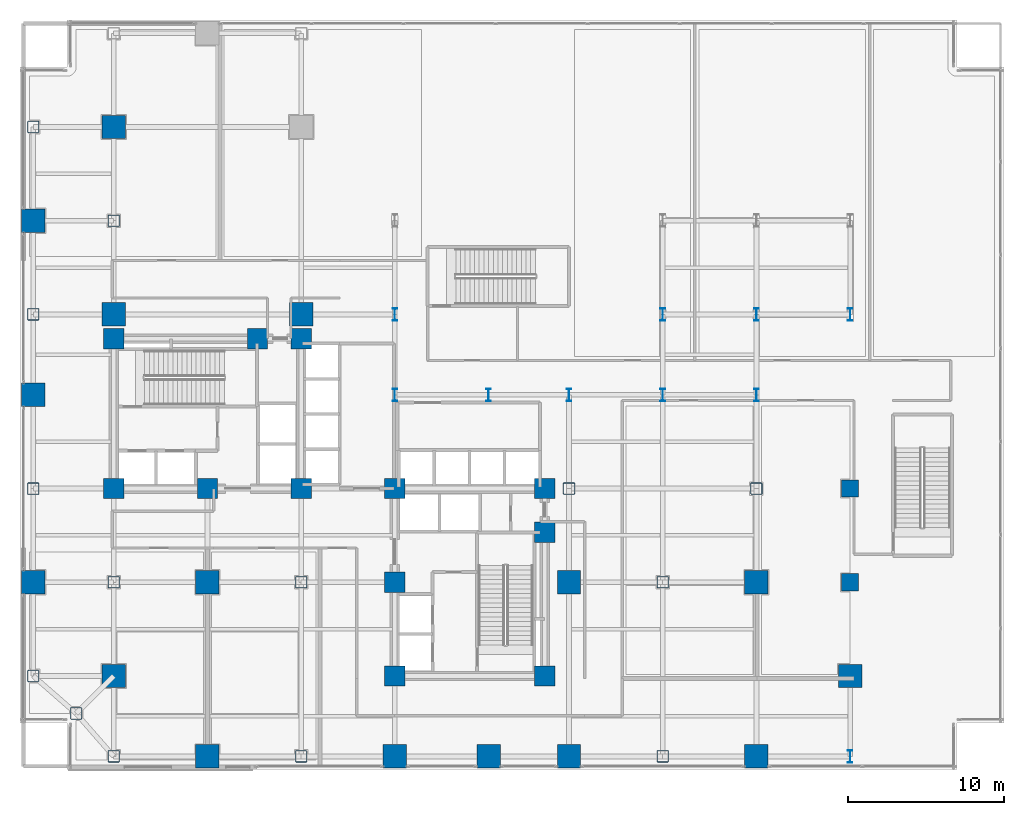
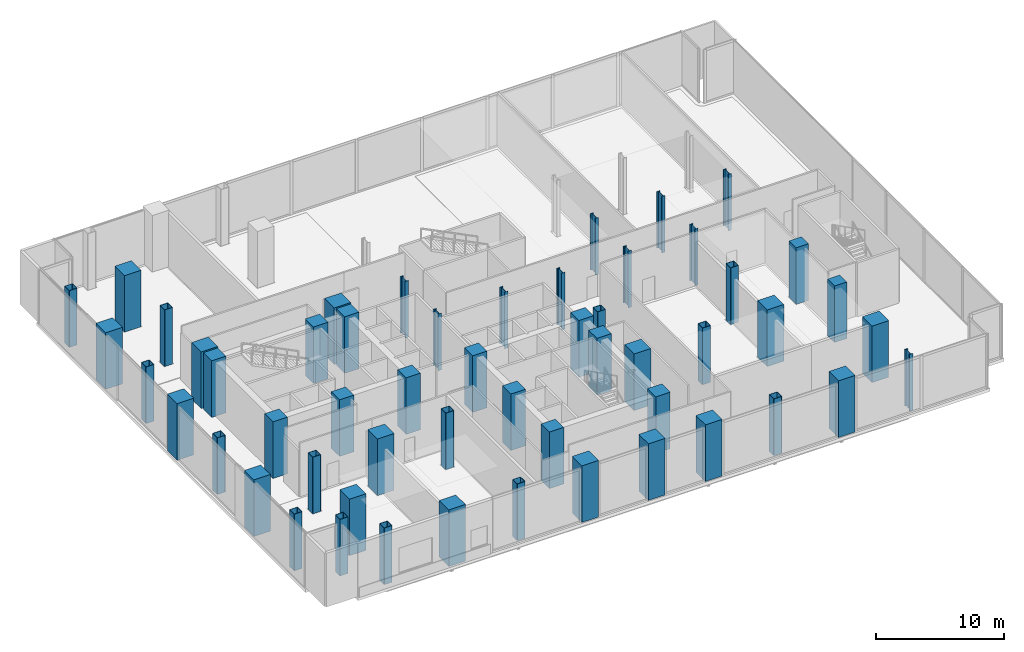
# One storey, part 1 of 27: 54 columns.
"""IFC4 building model written with IfcOpenShell, lengths in metres."""

from ifc_helpers import new_model, si_unit, direction, frame, origin, origin_2d, place, context, subcontext, project, spatial, rectangle, hollow_rectangle, i_section, extrude, material, material_profile, profile_set, type_object, element, save


model = new_model("IFC4")

# Units and contexts
model_context = context("Model", 3, precision=1e-05, world=origin(), true_north=direction((0.0, 1.0)))
body_context = subcontext(model_context, "Body", "Model", "MODEL_VIEW")
ifc_project = project(units=[si_unit("LENGTHUNIT", "METRE"), si_unit("AREAUNIT", "SQUARE_METRE"), si_unit("VOLUMEUNIT", "CUBIC_METRE"), si_unit("PLANEANGLEUNIT", "RADIAN"), si_unit("MASSUNIT", "GRAM", prefix="KILO"), si_unit("THERMODYNAMICTEMPERATUREUNIT", "KELVIN"), si_unit("POWERUNIT", "WATT")], contexts=[model_context])

# Site, building, storey
site_placement = place(None, origin())
site = spatial("IfcSite", under=ifc_project, at=site_placement, CompositionType="ELEMENT")
building_placement = place(site_placement, origin())
building = spatial("IfcBuilding", under=site, at=building_placement, Name="Svarakhadi Broadcast Tower", CompositionType="ELEMENT")
storey_placement = place(building_placement, frame((0.0, 0.0, 5.699951171875)))
storey = spatial("IfcBuildingStorey", under=building, at=storey_placement, Name="L01", CompositionType="ELEMENT", Elevation=5.699951171875)

# Columns
ifc_material_1 = material(Name="Steel S460ML (IS 2062 E450BR)", Category="steel")
ifc_material_profile_1 = material_profile(ifc_material_1, hollow_rectangle(XDim=0.75, YDim=0.75, WallThickness=0.034912109375, InnerFilletRadius=0.034912109375, OuterFilletRadius=0.050048828125, at=origin_2d()), Name="BOX 750x750x35")
ifc_profile_set_1 = profile_set([ifc_material_profile_1], Name="Steel S460ML (IS 2062 E450BR)")
column_type_1 = type_object("IfcColumnType", Name="Col_BOX750", PredefinedType="COLUMN", material=ifc_profile_set_1)
for number, where, z_axis, x_axis, name in (
    (1, (3.60009765625, 3.60009765625, 0.0), (0.0, 0.0, 1.0), (1.0, 0.0, 0.0), "L01 Column G01"),
    (2, (0.85009765625, 6.0, 0.0), (0.0, 0.0, 1.0), (1.0, 0.0, 0.0), "L01 Column G03"),
    (3, (0.85009765625, 18.0, 0.0), (0.0, 0.0, 1.0), (1.0, 0.0, 0.0), "L01 Column G05"),
    (4, (0.85009765625, 29.14990234375, 0.0), (0.0, 0.0, 1.0), (1.0, 0.0, 0.0), "L01 Column G07"),
    (5, (0.85009765625, 41.14990234375, 0.0), (0.0, 0.0, 1.0), (1.0, 0.0, 0.0), "L01 Column G09"),
    (6, (6.0, 0.85009765625, 0.0), (0.0, 0.0, 1.0), (1.0, 0.0, 0.0), "L01 Column G11"),
    (7, (6.0, 12.0, 0.0), (0.0, 0.0, 1.0), (1.0, 0.0, 0.0), "L01 Column G13"),
    (8, (6.0, 35.14990234375, 0.0), (0.0, 0.0, 1.0), (1.0, 0.0, 0.0), "L01 Column G15"),
    (9, (18.0, 0.85009765625, 0.0), (0.0, 0.0, 1.0), (1.0, 0.0, 0.0), "L01 Column G25"),
    (10, (18.0, 12.0, 0.0), (0.0, 0.0, 1.0), (1.0, 0.0, 0.0), "L01 Column G27"),
    (11, (35.14990234375, 18.0, 0.0), (0.0, 0.0, 1.0), (1.0, 0.0, 0.0), "L01 Column G41"),
    (12, (41.14990234375, 0.85009765625, 0.0), (0.0, 0.0, 1.0), (1.0, 0.0, 0.0), "L01 Column G43"),
    (13, (41.14990234375, 12.0, 0.0), (0.0, 0.0, 1.0), (1.0, 0.0, 0.0), "L01 Column G45"),
    (14, (47.14990234375, 18.0, 0.0), (0.0, 0.0, 1.0), (1.0, 0.0, 0.0), "L01 Column G53"),
):
    element("IfcColumn", number, at=place(storey_placement, frame(where, z_axis=z_axis, x_axis=x_axis)), inside=storey, type_object=column_type_1, Name=name, PredefinedType="COLUMN", context=body_context, shape_type="SweptSolid", body=[
        extrude(hollow_rectangle(XDim=0.75, YDim=0.75, WallThickness=0.034912109375, InnerFilletRadius=0.034912109375, OuterFilletRadius=0.050048828125, at=origin_2d()), origin(), (0.0, 0.0, 1.0), 5.400146484375),
    ])
ifc_material_2 = material(Name="Concrete C50/60 (IS 456 M60)", Category="concrete")
ifc_material_profile_2 = material_profile(ifc_material_2, rectangle(XDim=1.10009765625, YDim=1.10009765625, at=origin_2d()), Name="RC 1100x1100")
ifc_profile_set_2 = profile_set([ifc_material_profile_2], Name="Concrete C50/60 (IS 456 M60)")
column_type_2 = type_object("IfcColumnType", Name="Col_RC1100", PredefinedType="COLUMN", material=ifc_profile_set_2)
for number, where, z_axis, x_axis, name in (
    (15, (53.14990234375, 12.0, 0.0), (0.0, 0.0, 1.0), (1.0, 0.0, 0.0), "L01 Zone-1 East Stack Column ZT02"),
    (16, (53.14990234375, 18.0, 0.0), (0.0, 0.0, 1.0), (1.0, 0.0, 0.0), "L01 Zone-1 East Stack Column ZT03"),
):
    element("IfcColumn", number, at=place(storey_placement, frame(where, z_axis=z_axis, x_axis=x_axis)), inside=storey, type_object=column_type_2, Name=name, PredefinedType="COLUMN", context=body_context, shape_type="SweptSolid", body=[
        extrude(rectangle(XDim=1.10009765625, YDim=1.10009765625, at=origin_2d()), origin(), (0.0, 0.0, 1.0), 5.400146484375),
    ])
ifc_material_3 = material(Name="Concrete C60/75 (IS 456 M70)", Category="concrete")
ifc_material_profile_3 = material_profile(ifc_material_3, rectangle(XDim=1.300048828125, YDim=1.300048828125, at=origin_2d()), Name="RC 1300x1300")
ifc_profile_set_3 = profile_set([ifc_material_profile_3], Name="Concrete C60/75 (IS 456 M70)")
column_type_3 = type_object("IfcColumnType", Name="Col_RC1300", PredefinedType="COLUMN", material=ifc_profile_set_3)
for number, where, z_axis, x_axis, name in (
    (17, (6.0, 18.0, 0.0), (0.0, 0.0, 1.0), (1.0, 0.0, 0.0), "L01 Column CW1"),
    (18, (12.0, 18.0, 0.0), (0.0, 0.0, 1.0), (1.0, 0.0, 0.0), "L01 Column CW2"),
    (19, (18.0, 18.0, 0.0), (0.0, 0.0, 1.0), (1.0, 0.0, 0.0), "L01 Column CW3"),
    (20, (6.0, 27.60009765625, 0.0), (0.0, 0.0, 1.0), (1.0, 0.0, 0.0), "L01 Column CW4"),
    (21, (15.199951171875, 27.60009765625, 0.0), (0.0, 0.0, 1.0), (1.0, 0.0, 0.0), "L01 Column CW5"),
    (22, (18.0, 27.60009765625, 0.0), (0.0, 0.0, 1.0), (1.0, 0.0, 0.0), "L01 Column CW6"),
    (23, (24.0, 6.0, 0.0), (0.0, 0.0, 1.0), (1.0, 0.0, 0.0), "L01 Column CE1"),
    (24, (24.0, 12.0, 0.0), (0.0, 0.0, 1.0), (1.0, 0.0, 0.0), "L01 Column CE2"),
    (25, (24.0, 18.0, 0.0), (0.0, 0.0, 1.0), (1.0, 0.0, 0.0), "L01 Column CE3"),
    (26, (33.60009765625, 6.0, 0.0), (0.0, 0.0, 1.0), (1.0, 0.0, 0.0), "L01 Column CE4"),
    (27, (33.60009765625, 15.199951171875, 0.0), (0.0, 0.0, 1.0), (1.0, 0.0, 0.0), "L01 Column CE5"),
    (28, (33.60009765625, 18.0, 0.0), (0.0, 0.0, 1.0), (1.0, 0.0, 0.0), "L01 Column CE6"),
):
    element("IfcColumn", number, at=place(storey_placement, frame(where, z_axis=z_axis, x_axis=x_axis)), inside=storey, type_object=column_type_3, Name=name, PredefinedType="COLUMN", context=body_context, shape_type="SweptSolid", body=[
        extrude(rectangle(XDim=1.300048828125, YDim=1.300048828125, at=origin_2d()), origin(), (0.0, 0.0, 1.0), 5.400146484375),
    ])
ifc_material_profile_4 = material_profile(ifc_material_3, rectangle(XDim=1.5, YDim=1.5, at=origin_2d()), Name="RC 1500x1500")
ifc_profile_set_4 = profile_set([ifc_material_profile_4], Name="Concrete C60/75 (IS 456 M70)")
column_type_4 = type_object("IfcColumnType", Name="Col_RC1500", PredefinedType="COLUMN", material=ifc_profile_set_4)
for number, where, z_axis, x_axis, name in (
    (29, (0.85009765625, 12.0, 0.0), (0.0, 0.0, 1.0), (1.0, 0.0, 0.0), "L01 Column G04"),
    (30, (0.85009765625, 24.0, 0.0), (0.0, 0.0, 1.0), (1.0, 0.0, 0.0), "L01 Column G06"),
    (31, (0.85009765625, 35.14990234375, 0.0), (0.0, 0.0, 1.0), (1.0, 0.0, 0.0), "L01 Column G08"),
    (32, (6.0, 6.0, 0.0), (0.0, 0.0, 1.0), (1.0, 0.0, 0.0), "L01 Column G12"),
    (33, (6.0, 29.14990234375, 0.0), (0.0, 0.0, 1.0), (1.0, 0.0, 0.0), "L01 Column G14"),
    (34, (6.0, 41.14990234375, 0.0), (0.0, 0.0, 1.0), (1.0, 0.0, 0.0), "L01 Column G16"),
    (35, (12.0, 0.85009765625, 0.0), (0.0, 0.0, 1.0), (1.0, 0.0, 0.0), "L01 Column G18"),
    (36, (12.0, 12.0, 0.0), (0.0, 0.0, 1.0), (1.0, 0.0, 0.0), "L01 Column G20"),
    (37, (18.0, 29.14990234375, 0.0), (0.0, 0.0, 1.0), (1.0, 0.0, 0.0), "L01 Column G28"),
    (38, (24.0, 0.85009765625, 0.0), (0.0, 0.0, 1.0), (1.0, 0.0, 0.0), "L01 Column G32"),
    (39, (30.0, 0.85009765625, 0.0), (0.0, 0.0, 1.0), (1.0, 0.0, 0.0), "L01 Column G36"),
    (40, (35.14990234375, 0.85009765625, 0.0), (0.0, 0.0, 1.0), (1.0, 0.0, 0.0), "L01 Column G38"),
    (41, (35.14990234375, 12.0, 0.0), (0.0, 0.0, 1.0), (1.0, 0.0, 0.0), "L01 Column G40"),
    (42, (47.14990234375, 0.85009765625, 0.0), (0.0, 0.0, 1.0), (1.0, 0.0, 0.0), "L01 Column G50"),
    (43, (47.14990234375, 12.0, 0.0), (0.0, 0.0, 1.0), (1.0, 0.0, 0.0), "L01 Column G52"),
    (44, (53.14990234375, 6.0, 0.0), (0.0, 0.0, 1.0), (1.0, 0.0, 0.0), "L01 Column G58"),
):
    element("IfcColumn", number, at=place(storey_placement, frame(where, z_axis=z_axis, x_axis=x_axis)), inside=storey, type_object=column_type_4, Name=name, PredefinedType="COLUMN", context=body_context, shape_type="SweptSolid", body=[
        extrude(rectangle(XDim=1.5, YDim=1.5, at=origin_2d()), origin(), (0.0, 0.0, 1.0), 5.400146484375),
    ])
ifc_material_profile_5 = material_profile(ifc_material_1, i_section(OverallWidth=0.300048828125, OverallDepth=0.800048828125, WebThickness=0.017578125, FlangeThickness=0.032958984375, FilletRadius=0.030029296875, at=origin_2d()), Name="WPB 800x300x262")
ifc_profile_set_5 = profile_set([ifc_material_profile_5], Name="Steel S460ML (IS 2062 E450BR)")
column_type_5 = type_object("IfcColumnType", Name="Col_WPB800", PredefinedType="COLUMN", material=ifc_profile_set_5)
for number, where, z_axis, x_axis, name in (
    (45, (24.0, 24.0, 0.0), (0.0, 0.0, 1.0), (1.0, 0.0, 0.0), "L01 Column G33"),
    (46, (24.0, 29.14990234375, 0.0), (0.0, 0.0, 1.0), (1.0, 0.0, 0.0), "L01 Column G34"),
    (47, (30.0, 24.0, 0.0), (0.0, 0.0, 1.0), (1.0, 0.0, 0.0), "L01 Column G37"),
    (48, (35.14990234375, 24.0, 0.0), (0.0, 0.0, 1.0), (1.0, 0.0, 0.0), "L01 Column G42"),
    (49, (41.14990234375, 24.0, 0.0), (0.0, 0.0, 1.0), (1.0, 0.0, 0.0), "L01 Column G47"),
    (50, (41.14990234375, 29.14990234375, 0.0), (0.0, 0.0, 1.0), (1.0, 0.0, 0.0), "L01 Column G48"),
    (51, (47.14990234375, 24.0, 0.0), (0.0, 0.0, 1.0), (1.0, 0.0, 0.0), "L01 Column G54"),
    (52, (47.14990234375, 29.14990234375, 0.0), (0.0, 0.0, 1.0), (1.0, 0.0, 0.0), "L01 Column G55"),
    (53, (53.14990234375, 0.85009765625, 0.0), (0.0, 0.0, 1.0), (1.0, 0.0, 0.0), "L01 Column G57"),
    (54, (53.14990234375, 29.14990234375, 0.0), (0.0, 0.0, 1.0), (1.0, 0.0, 0.0), "L01 Column G59"),
):
    element("IfcColumn", number, at=place(storey_placement, frame(where, z_axis=z_axis, x_axis=x_axis)), inside=storey, type_object=column_type_5, Name=name, PredefinedType="COLUMN", context=body_context, shape_type="SweptSolid", body=[
        extrude(i_section(OverallWidth=0.300048828125, OverallDepth=0.800048828125, WebThickness=0.017578125, FlangeThickness=0.032958984375, FilletRadius=0.030029296875, at=origin_2d()), origin(), (0.0, 0.0, 1.0), 5.400146484375),
    ])

save(model, "model.ifc")
